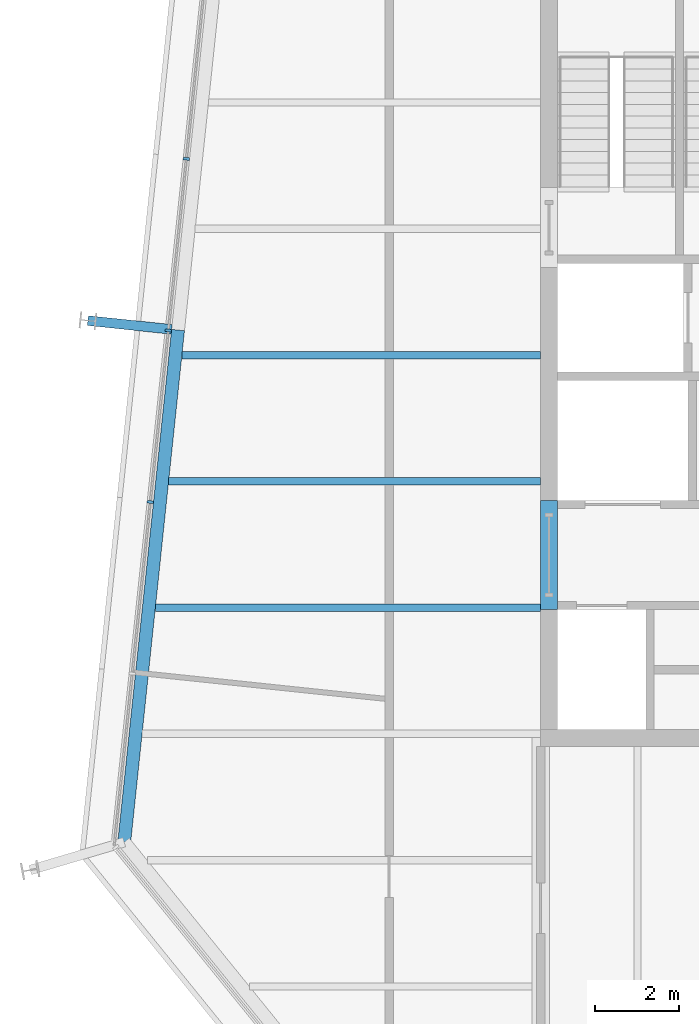
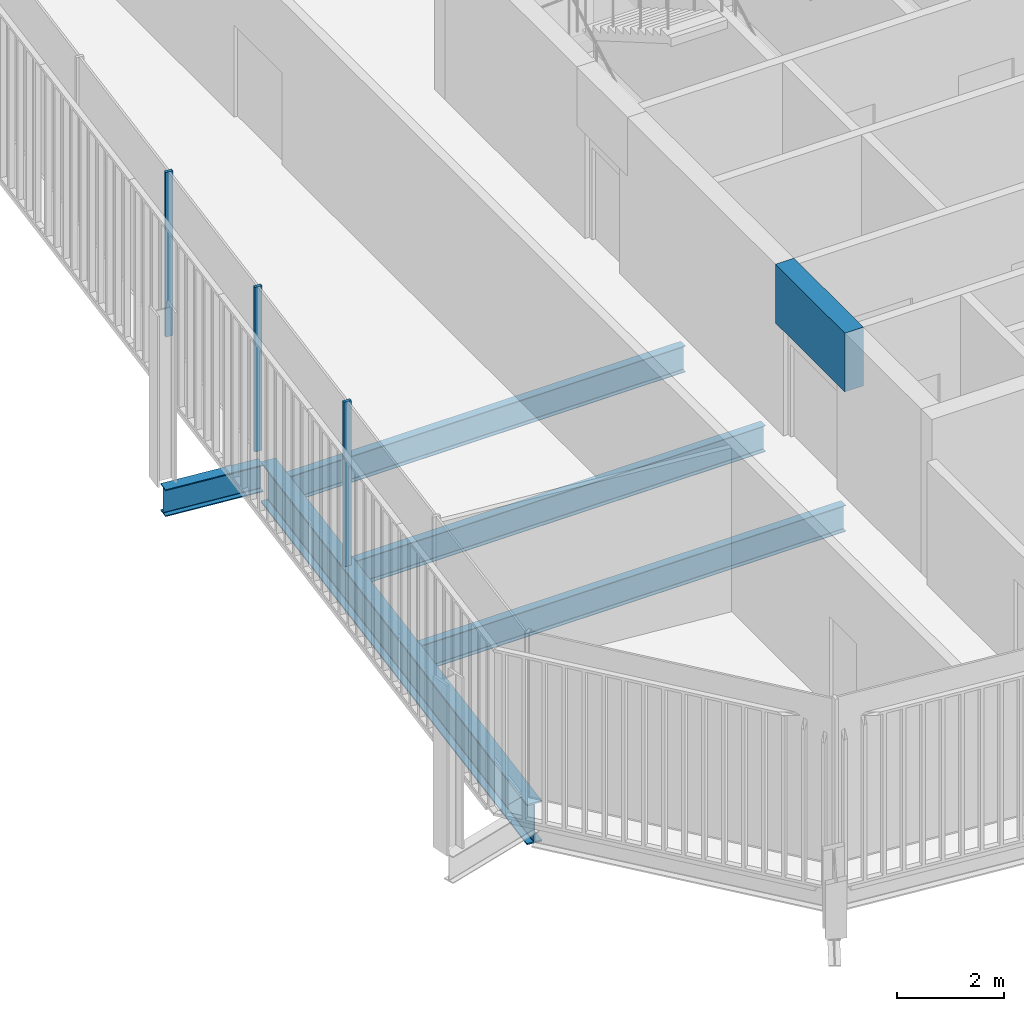
# One storey, part 6 of 20: 6 beams, 3 members, 1 element without a shape of its own.
"""IFC4 building model written with IfcOpenShell, lengths in metres."""

from ifc_helpers import new_model, si_unit, direction, frame, origin, origin_2d, place, context, subcontext, project, spatial, rectangle, i_section, extrude, material, layer, layer_set, material_profile, profile_set, type_object, element, aggregate, save


model = new_model("IFC4")

# Units and contexts
model_context = context("Model", 3, precision=1e-05, world=origin(), true_north=direction((0.0, 1.0)))
body_context = subcontext(model_context, "Body", "Model", "MODEL_VIEW")
ifc_project = project(units=[si_unit("LENGTHUNIT", "METRE"), si_unit("AREAUNIT", "SQUARE_METRE"), si_unit("VOLUMEUNIT", "CUBIC_METRE"), si_unit("PLANEANGLEUNIT", "RADIAN"), si_unit("MASSUNIT", "GRAM", prefix="KILO")], contexts=[model_context])

# Site, building, storey
site_placement = place(None, origin())
site = spatial("IfcSite", under=ifc_project, at=site_placement, CompositionType="ELEMENT")
building_placement = place(site_placement, origin())
building = spatial("IfcBuilding", under=site, at=building_placement, Name="Millrace Tower", CompositionType="ELEMENT")
storey_placement = place(building_placement, frame((0.0, 0.0, 295.5)))
storey = spatial("IfcBuildingStorey", under=building, at=storey_placement, Name="L68", CompositionType="ELEMENT", Elevation=295.5)

# Curtain wall, members
ifc_material_1 = material(Name="Aluminium and glass", Category="aluminium")
ifc_layer = layer(ifc_material_1, 0.14990234375)
ifc_layer_set = layer_set([ifc_layer], Name="Aluminium and glass")
curtain_wall_type = type_object("IfcCurtainWallType", Name="CW-1 office vision curtain wall", PredefinedType="NOTDEFINED", material=ifc_layer_set)
curtain_wall_placement = place(storey_placement, origin())
curtain_wall = element("IfcCurtainWall", 1, at=curtain_wall_placement, inside=storey, type_object=curtain_wall_type, Name="Curtain wall E-F08 L68", PredefinedType="NOTDEFINED")
ifc_material_2 = material(Name="Aluminium", Category="aluminium")
ifc_material_profile_1 = material_profile(ifc_material_2, rectangle(XDim=0.06494140625, YDim=0.14990234375, at=origin_2d()))
ifc_profile_set_1 = profile_set([ifc_material_profile_1], Name="Aluminium")
member_type = type_object("IfcMemberType", Name="CW-1 office vision curtain wall mullion", PredefinedType="MULLION", material=ifc_profile_set_1)
member_1_placement = place(storey_placement, frame((-22.717529296875, 4.664794921875, 0.139892578125), z_axis=(0.0, 0.0, 1.0), x_axis=(-0.104528455196, -0.994521896217, 0.0)))
member_1 = element("IfcMember", 2, at=member_1_placement, type_object=member_type, Name="CW1 mullion E-F08.6", PredefinedType="MULLION", context=body_context, shape_type="SweptSolid", body=[
    extrude(rectangle(XDim=0.06494140625, YDim=0.14990234375, at=origin_2d()), origin(), (0.0, 0.0, 1.0), 3.760009765625),
])
member_2_placement = place(storey_placement, frame((-23.146240234375, 0.587158203125, 0.139892578125), z_axis=(0.0, 0.0, 1.0), x_axis=(-0.104528455196, -0.994521896217, 0.0)))
member_2 = element("IfcMember", 3, at=member_2_placement, type_object=member_type, Name="CW1 mullion E-F08.7", PredefinedType="MULLION", context=body_context, shape_type="SweptSolid", body=[
    extrude(rectangle(XDim=0.06494140625, YDim=0.14990234375, at=origin_2d()), origin(), (0.0, 0.0, 1.0), 3.760009765625),
])
member_3_placement = place(storey_placement, frame((-23.57470703125, -3.490234375, 0.139892578125), z_axis=(0.0, 0.0, 1.0), x_axis=(-0.104528455196, -0.994521896217, 0.0)))
member_3 = element("IfcMember", 4, at=member_3_placement, type_object=member_type, Name="CW1 mullion E-F08.8", PredefinedType="MULLION", context=body_context, shape_type="SweptSolid", body=[
    extrude(rectangle(XDim=0.06494140625, YDim=0.14990234375, at=origin_2d()), origin(), (0.0, 0.0, 1.0), 3.760009765625),
])
aggregate(curtain_wall, [member_1, member_2, member_3])

# Beams
ifc_material_3 = material(Name="Concrete C60", Category="concrete")
ifc_material_profile_2 = material_profile(ifc_material_3, rectangle(XDim=0.39990234375, YDim=1.340087890625, at=origin_2d()))
ifc_profile_set_2 = profile_set([ifc_material_profile_2], Name="Concrete C60")
beam_type_1 = type_object("IfcBeamType", Name="Coupling beam 400 x 1340 Concrete C60, 2000 opening", PredefinedType="BEAM", material=ifc_profile_set_2)
beam_1_placement = place(storey_placement, frame((-14.10009765625, -6.050048828125, 3.070068359375), z_axis=(0.0, 1.0, 0.0), x_axis=(-1.0, 0.0, 0.0)))
element("IfcBeam", 5, at=beam_1_placement, inside=storey, type_object=beam_type_1, Name="Coupling beam W L68", PredefinedType="BEAM", context=body_context, shape_type="SweptSolid", body=[
    extrude(rectangle(XDim=0.39990234375, YDim=1.340087890625, at=origin_2d()), origin(), (0.0, 0.0, 1.0), 2.60009765625),
])
ifc_material_4 = material(Name="Steel ASTM A992 Grade 50", Category="steel")
ifc_material_profile_3 = material_profile(ifc_material_4, i_section(OverallWidth=0.177978515625, OverallDepth=0.599365234375, WebThickness=0.010009765625, FlangeThickness=0.012939453125, FilletRadius=0.012939453125, at=origin_2d()))
ifc_profile_set_3 = profile_set([ifc_material_profile_3], Name="Steel ASTM A992 Grade 50")
beam_type_2 = type_object("IfcBeamType", Name="Floor beam W24x55", PredefinedType="JOIST", material=ifc_profile_set_3)
beam_2_placement = place(storey_placement, frame((-23.4541015625, -6.0, -0.459716796875), z_axis=(1.0, 0.0, 0.0), x_axis=(0.0, 1.0, 0.0)))
element("IfcBeam", 6, at=beam_2_placement, inside=storey, type_object=beam_type_2, Name="BM-E-L68-S1-S009", PredefinedType="JOIST", context=body_context, shape_type="SweptSolid", body=[
    extrude(i_section(OverallWidth=0.177978515625, OverallDepth=0.599365234375, WebThickness=0.010009765625, FlangeThickness=0.012939453125, FilletRadius=0.012939453125, at=origin_2d()), origin(), (0.0, 0.0, 1.0), 9.154052734375),
])
beam_3_placement = place(storey_placement, frame((-23.138916015625, -3.0, -0.459716796875), z_axis=(1.0, 0.0, 0.0), x_axis=(0.0, 1.0, 0.0)))
element("IfcBeam", 7, at=beam_3_placement, inside=storey, type_object=beam_type_2, Name="BM-E-L68-S1-S012", PredefinedType="JOIST", context=body_context, shape_type="SweptSolid", body=[
    extrude(i_section(OverallWidth=0.177978515625, OverallDepth=0.599365234375, WebThickness=0.010009765625, FlangeThickness=0.012939453125, FilletRadius=0.012939453125, at=origin_2d()), origin(), (0.0, 0.0, 1.0), 8.8388671875),
])
beam_4_placement = place(storey_placement, frame((-22.823486328125, 0.0, -0.459716796875), z_axis=(1.0, 0.0, 0.0), x_axis=(0.0, 1.0, 0.0)))
element("IfcBeam", 8, at=beam_4_placement, inside=storey, type_object=beam_type_2, Name="BM-E-L68-S1-S015", PredefinedType="JOIST", context=body_context, shape_type="SweptSolid", body=[
    extrude(i_section(OverallWidth=0.177978515625, OverallDepth=0.599365234375, WebThickness=0.010009765625, FlangeThickness=0.012939453125, FilletRadius=0.012939453125, at=origin_2d()), origin(), (0.0, 0.0, 1.0), 8.5234375),
])
ifc_material_5 = material(Name="Steel ASTM A992 Grade 50", Category="steel")
ifc_material_profile_4 = material_profile(ifc_material_5, i_section(OverallWidth=0.23046875, OverallDepth=0.6171875, WebThickness=0.01318359375, FlangeThickness=0.022216796875, FilletRadius=0.012939453125, at=origin_2d()))
ifc_profile_set_4 = profile_set([ifc_material_profile_4], Name="Steel ASTM A992 Grade 50")
beam_type_3 = type_object("IfcBeamType", Name="Link beam W24x94", PredefinedType="BEAM", material=ifc_profile_set_4)
beam_5_placement = place(storey_placement, frame((-23.068115234375, 0.61181640625, -0.468505859375), z_axis=(-0.994526834051, 0.104481464157, 0.0), x_axis=(-0.104481464157, -0.994526834051, 0.0)))
element("IfcBeam", 9, at=beam_5_placement, inside=storey, type_object=beam_type_3, Name="LNK-E-L68-S1-02", PredefinedType="BEAM", context=body_context, shape_type="SweptSolid", body=[
    extrude(i_section(OverallWidth=0.23046875, OverallDepth=0.6171875, WebThickness=0.01318359375, FlangeThickness=0.022216796875, FilletRadius=0.012939453125, at=origin_2d()), origin(), (0.0, 0.0, 1.0), 2.000244140625),
])
ifc_material_6 = material(Name="Steel ASTM A992 Grade 50", Category="steel")
ifc_material_profile_5 = material_profile(ifc_material_6, i_section(OverallWidth=0.307373046875, OverallDepth=0.927001953125, WebThickness=0.01953125, FlangeThickness=0.031982421875, FilletRadius=0.01904296875, at=origin_2d()))
ifc_profile_set_5 = profile_set([ifc_material_profile_5], Name="Steel ASTM A992 Grade 50")
beam_type_4 = type_object("IfcBeamType", Name="Ring beam medium span W36x194", PredefinedType="SPANDREL", material=ifc_profile_set_5)
beam_6_placement = place(storey_placement, frame((-24.1943359375, -11.57373046875, -0.62353515625), z_axis=(0.104527955888, 0.994521948696, 0.0), x_axis=(-0.994521948696, 0.104527955888, 0.0)))
element("IfcBeam", 10, at=beam_6_placement, inside=storey, type_object=beam_type_4, Name="RNG-E-L68-S1-01", PredefinedType="SPANDREL", context=body_context, shape_type="SweptSolid", body=[
    extrude(i_section(OverallWidth=0.307373046875, OverallDepth=0.927001953125, WebThickness=0.01953125, FlangeThickness=0.031982421875, FilletRadius=0.01904296875, at=origin_2d()), origin(), (0.0, 0.0, 1.0), 12.236572265625),
])

save(model, "model.ifc")
